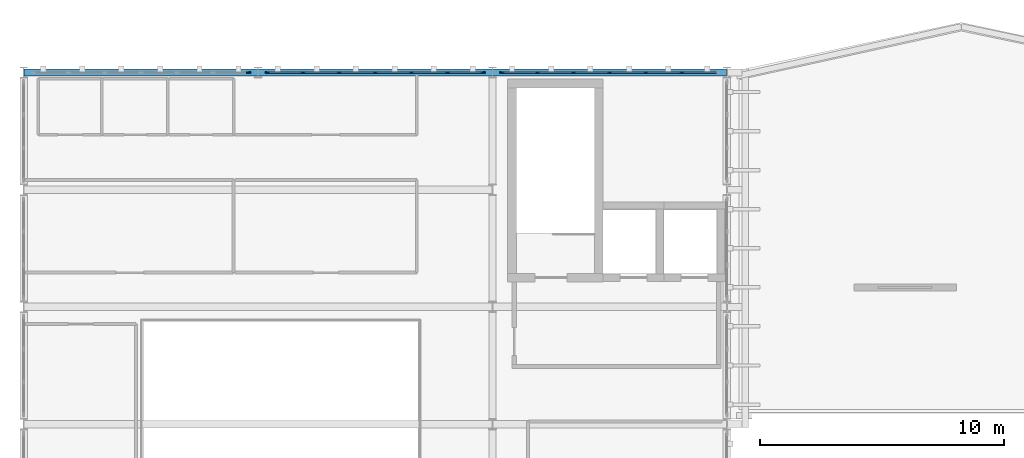
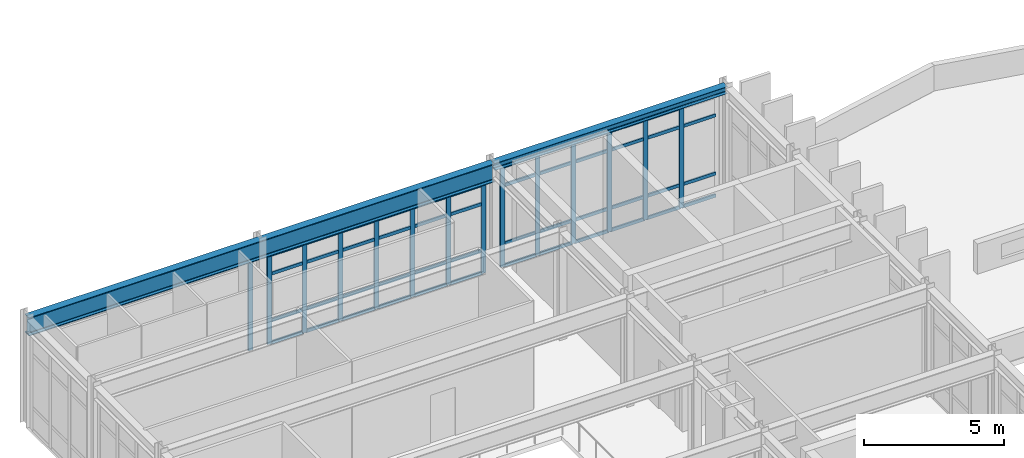
# One storey, part 8 of 16: 61 members, 2 beams, 3 elements without a shape of their own.
"""IFC4 building model written with IfcOpenShell, lengths in metres."""

import ifcopenshell
import ifcopenshell.guid

model = None  # the IFC model being written
_history = None  # IfcOwnerHistory: only IFC2X3 demands one
_inside = {}  # id of a spatial element -> (the spatial element, [elements in it])
_under = {}  # id of a project, library or spatial element -> (it, [spatial elements below it])
_declared = {}  # id of a project -> (the project, [libraries it declares])
_typed = {}  # id of a type object -> (the type object, [elements of that type])
_made_of = {}  # id of a material, layer set ... -> (it, [elements and type objects made of it])


def new_model(schema):
    """Start an empty IFC model of exactly this schema.

    Asked for "IFC4X3", IfcOpenShell would pick the latest addendum, in which some entities
    have other attributes; the version numbers below select the first issue.
    IFC2X3 requires an IfcOwnerHistory on every rooted entity: one is made here for all.
    """
    global model, _history
    if schema == "IFC4X3":
        model = ifcopenshell.file(schema_version=(4, 3, 0, 0))
    else:
        model = ifcopenshell.file(schema=schema)
    _inside.clear()
    _under.clear()
    _declared.clear()
    _typed.clear()
    _made_of.clear()
    _history = None
    if model.schema == "IFC2X3":
        org = make("IfcOrganization", Name="unknown")
        user = make(
            "IfcPersonAndOrganization",
            ThePerson=make("IfcPerson", FamilyName="unknown"),
            TheOrganization=org,
        )
        app = make(
            "IfcApplication",
            ApplicationDeveloper=org,
            Version="unknown",
            ApplicationFullName="unknown",
            ApplicationIdentifier="unknown",
        )
        _history = make(
            "IfcOwnerHistory",
            OwningUser=user,
            OwningApplication=app,
            ChangeAction="ADDED",
            CreationDate=0,
        )
    return model


def make(cls, **values):
    """One entity of the class cls with the attributes given. An attribute that is None is left unset."""
    return model.create_entity(
        cls, **{name: value for name, value in values.items() if value is not None}
    )


def rooted(cls, **values):
    """An entity with a GlobalId (a new one), such as an element, a storey or a relation."""
    return make(cls, GlobalId=ifcopenshell.guid.new(), OwnerHistory=_history, **values)


def si_unit(unit_type, name, prefix=None):
    """IfcSIUnit, for example si_unit("LENGTHUNIT", "METRE", prefix="MILLI")."""
    return make("IfcSIUnit", UnitType=unit_type, Prefix=prefix, Name=name)


def assignment(units):
    """IfcUnitAssignment: the units of a project."""
    return None if units is None else make("IfcUnitAssignment", Units=units)


def point(xyz):
    """IfcCartesianPoint."""
    return None if xyz is None else make("IfcCartesianPoint", Coordinates=xyz)


def direction(xyz):
    """IfcDirection."""
    return None if xyz is None else make("IfcDirection", DirectionRatios=xyz)


def frame(location, z_axis=None, x_axis=None):
    """IfcAxis2Placement3D, a coordinate frame: its origin and axes. An axis left out is left unset."""
    return make(
        "IfcAxis2Placement3D",
        Location=point(location),
        Axis=direction(z_axis),
        RefDirection=direction(x_axis),
    )


def frame_2d(location, x_axis=None):
    """IfcAxis2Placement2D, a coordinate frame in the plane: its origin and x axis."""
    return make(
        "IfcAxis2Placement2D", Location=point(location), RefDirection=direction(x_axis)
    )


def origin():
    """The frame at (0, 0, 0) with its axes left unset."""
    return frame((0.0, 0.0, 0.0))


def origin_2d():
    """The frame at (0, 0) in the plane with its x axis left unset."""
    return frame_2d((0.0, 0.0))


def place(relative_to, where):
    """IfcLocalPlacement: puts the frame where relative to a parent placement (None: the world)."""
    return make(
        "IfcLocalPlacement", PlacementRelTo=relative_to, RelativePlacement=where
    )


def context(
    kind, dimensions, precision=None, world=None, true_north=None, identifier=None
):
    """IfcGeometricRepresentationContext, for example the 3D "Model" context."""
    return make(
        "IfcGeometricRepresentationContext",
        ContextIdentifier=identifier,
        ContextType=kind,
        CoordinateSpaceDimension=dimensions,
        Precision=precision,
        WorldCoordinateSystem=world,
        TrueNorth=true_north,
    )


def subcontext(parent, identifier, kind, view, scale=None):
    """IfcGeometricRepresentationSubContext, for example "Body" below "Model"."""
    return make(
        "IfcGeometricRepresentationSubContext",
        ContextIdentifier=identifier,
        ContextType=kind,
        ParentContext=parent,
        TargetScale=scale,
        TargetView=view,
    )


def project(units=None, contexts=None):
    """IfcProject with its units and contexts."""
    return rooted(
        "IfcProject",
        Name="project",
        RepresentationContexts=contexts,
        UnitsInContext=assignment(units),
    )


def spatial(cls, under=None, at=None, **own):
    """A site, building, storey or space (cls), placed at a placement, below another one or the project."""
    s = rooted(cls, ObjectPlacement=at, **own)
    if under is not None:
        _under.setdefault(under.id(), (under, []))[1].append(s)
    return s


def profile(cls, at=None, kind="AREA", **sizes):
    """A parametric profile (cls). Its sizes go by their IFC names, for example OverallWidth=200.0."""
    return make(cls, ProfileType=kind, Position=at, **sizes)


def rectangle(**sizes):
    """IfcRectangleProfileDef."""
    return profile("IfcRectangleProfileDef", **sizes)


def i_section(**sizes):
    """IfcIShapeProfileDef."""
    return profile("IfcIShapeProfileDef", **sizes)


def extrude(swept, where, along, depth):
    """IfcExtrudedAreaSolid: the profile swept, set in the frame where, extruded along a direction by depth."""
    return make(
        "IfcExtrudedAreaSolid",
        SweptArea=swept,
        Position=where,
        ExtrudedDirection=direction(along),
        Depth=depth,
    )


def shape(context_of_items, identifier, shape_type, items):
    """IfcShapeRepresentation: the items that make up one representation, for example the "Body"."""
    return make(
        "IfcShapeRepresentation",
        ContextOfItems=context_of_items,
        RepresentationIdentifier=identifier,
        RepresentationType=shape_type,
        Items=items,
    )


def material(Name=None, Category=None):
    """IfcMaterial."""
    return make("IfcMaterial", Name=Name, Category=Category)


def layer(
    of_material, thickness, ventilated=None, Name=None, Category=None, Priority=None
):
    """IfcMaterialLayer: one layer of a wall or slab, of a material (None: an air gap)."""
    return make(
        "IfcMaterialLayer",
        Material=of_material,
        LayerThickness=thickness,
        IsVentilated=ventilated,
        Name=Name,
        Category=Category,
        Priority=Priority,
    )


def layer_set(layers, Name=None):
    """IfcMaterialLayerSet."""
    return make("IfcMaterialLayerSet", MaterialLayers=layers, LayerSetName=Name)


def material_profile(
    of_material, cross_section, Name=None, Category=None, Priority=None
):
    """IfcMaterialProfile: a cross section and its material."""
    return make(
        "IfcMaterialProfile",
        Name=Name,
        Material=of_material,
        Profile=cross_section,
        Priority=Priority,
        Category=Category,
    )


def profile_set(profiles, Name=None, composite=None):
    """IfcMaterialProfileSet."""
    return make(
        "IfcMaterialProfileSet",
        Name=Name,
        MaterialProfiles=profiles,
        CompositeProfile=composite,
    )


def made_of(thing, what):
    """Note that an element or type object is made of a material, layer set ...; save() writes the relation."""
    if what is not None:
        _made_of.setdefault(what.id(), (what, []))[1].append(thing)
    return thing


def type_object(cls, material=None, **own):
    """A type object (cls), such as IfcWallType, which elements share."""
    return made_of(rooted(cls, **own), material)


def element(
    cls,
    number,
    at=None,
    inside=None,
    cuts=None,
    type_object=None,
    material=None,
    context=None,
    identifier="Body",
    shape_type=None,
    held_by="IfcProductDefinitionShape",
    body=None,
    shapes=None,
    **own,
):
    """One element of the class cls, such as IfcWall. Its Tag is "e" and its number.

    at: its placement. inside: the storey or other place that contains it. cuts: it is an
    opening in that element (IfcRelVoidsElement). A single representation is given by context,
    identifier, shape_type and body (its items); several are given by shapes. held_by: the class
    of the entity that holds the representations. save() writes the other relations.
    """
    e = rooted(cls, Tag="e%d" % number, ObjectPlacement=at, **own)
    if body is not None:
        shapes = [shape(context, identifier, shape_type, body)]
    if shapes is not None:
        e.Representation = make(held_by, Representations=shapes)
    if inside is not None:
        _inside.setdefault(inside.id(), (inside, []))[1].append(e)
    if cuts is not None:
        rooted(
            "IfcRelVoidsElement", RelatingBuildingElement=cuts, RelatedOpeningElement=e
        )
    if type_object is not None:
        _typed.setdefault(type_object.id(), (type_object, []))[1].append(e)
    return made_of(e, material)


def aggregate(whole, parts):
    """IfcRelAggregates: a whole, such as a stair, and the parts it consists of."""
    return rooted("IfcRelAggregates", RelatingObject=whole, RelatedObjects=parts)


def save(model, path):
    """Write the relations noted so far, then the file.

    IfcRelAggregates (storeys below a building ...), IfcRelContainedInSpatialStructure (elements
    in a storey), IfcRelDefinesByType, IfcRelAssociatesMaterial and IfcRelDeclares: one each for
    every whole, place, type object, material and project.
    """
    for whole, parts in _under.values():
        aggregate(whole, parts)
    for where, things in _inside.values():
        rooted(
            "IfcRelContainedInSpatialStructure",
            RelatedElements=things,
            RelatingStructure=where,
        )
    for kind, things in _typed.values():
        rooted("IfcRelDefinesByType", RelatedObjects=things, RelatingType=kind)
    for what, things in _made_of.values():
        rooted("IfcRelAssociatesMaterial", RelatedObjects=things, RelatingMaterial=what)
    for by, libraries in _declared.values():
        rooted("IfcRelDeclares", RelatingContext=by, RelatedDefinitions=libraries)
    model.write(path)


model = new_model("IFC4")

# Units and contexts
model_context = context("Model", 3, precision=1e-05, world=origin(), true_north=direction((0.0, 1.0)))
body_context = subcontext(model_context, "Body", "Model", "MODEL_VIEW")
ifc_project = project(units=[si_unit("LENGTHUNIT", "METRE"), si_unit("AREAUNIT", "SQUARE_METRE"), si_unit("VOLUMEUNIT", "CUBIC_METRE"), si_unit("PLANEANGLEUNIT", "RADIAN"), si_unit("MASSUNIT", "GRAM", prefix="KILO")], contexts=[model_context])

# Site, building, storey
site_placement = place(None, origin())
site = spatial("IfcSite", under=ifc_project, at=site_placement, CompositionType="ELEMENT")
building_placement = place(site_placement, origin())
building = spatial("IfcBuilding", under=site, at=building_placement, Name="Nordkorset Police Headquarters", CompositionType="ELEMENT")
storey_placement = place(building_placement, frame((0.0, 0.0, 31.14990234375)))
storey = spatial("IfcBuildingStorey", under=building, at=storey_placement, Name="L07", CompositionType="ELEMENT", Elevation=31.14990234375)

# Curtain wall, member
ifc_material_1 = material(Name="Aluminium alloy AW-6060", Category="aluminium")
ifc_layer_1 = layer(ifc_material_1, 0.179931640625, Name="Aluminium alloy AW-6060")
ifc_layer_set_1 = layer_set([ifc_layer_1], Name="Aluminium alloy AW-6060")
curtain_wall_type_1 = type_object("IfcCurtainWallType", Name="CW_Unit_888x389", PredefinedType="USERDEFINED", material=ifc_layer_set_1)
curtain_wall_1_placement = place(storey_placement, origin())
curtain_wall_1 = element("IfcCurtainWall", 1, at=curtain_wall_1_placement, inside=storey, type_object=curtain_wall_type_1, Name="Unitised Curtain Wall L07 V1N-0", ObjectType="UNITISED CURTAIN WALL", PredefinedType="USERDEFINED")
ifc_material_2 = material(Name="Aluminium alloy AW-6060", Category="aluminium")
ifc_material_profile_1 = material_profile(ifc_material_2, rectangle(XDim=0.06494140625, YDim=0.179931640625, at=origin_2d()), Name="ALU MULL 65x180")
ifc_profile_set_1 = profile_set([ifc_material_profile_1], Name="Aluminium alloy AW-6060")
member_type_1 = type_object("IfcMemberType", Name="CW_Mullion_65x180", PredefinedType="MULLION", material=ifc_profile_set_1)
member_1_placement = place(storey_placement, frame((9.20751953125, 116.800048828125, 0.0), z_axis=(0.0, 0.0, 1.0), x_axis=(0.0, 1.0, 0.0)))
member_1 = element("IfcMember", 2, at=member_1_placement, type_object=member_type_1, Name="CW-76 mullion 7", PredefinedType="MULLION", context=body_context, shape_type="SweptSolid", body=[
    extrude(rectangle(XDim=0.06494140625, YDim=0.179931640625, at=origin_2d()), origin(), (0.0, 0.0, 1.0), 3.89013671875),
])
aggregate(curtain_wall_1, [member_1])

# Curtain wall, members
curtain_wall_2_placement = place(storey_placement, origin())
curtain_wall_2 = element("IfcCurtainWall", 3, at=curtain_wall_2_placement, inside=storey, type_object=curtain_wall_type_1, Name="Unitised Curtain Wall L07 V1N-1", ObjectType="UNITISED CURTAIN WALL", PredefinedType="USERDEFINED")
member_2_placement = place(storey_placement, frame((9.992431640625, 116.800048828125, 0.0), z_axis=(0.0, 0.0, 1.0), x_axis=(0.0, 1.0, 0.0)))
member_2 = element("IfcMember", 4, at=member_2_placement, type_object=member_type_1, Name="CW-76 mullion 1", PredefinedType="MULLION", context=body_context, shape_type="SweptSolid", body=[
    extrude(rectangle(XDim=0.06494140625, YDim=0.179931640625, at=origin_2d()), origin(), (0.0, 0.0, 1.0), 3.89013671875),
])
member_3_placement = place(storey_placement, frame((11.43994140625, 116.800048828125, 0.0), z_axis=(0.0, 0.0, 1.0), x_axis=(0.0, 1.0, 0.0)))
member_3 = element("IfcMember", 5, at=member_3_placement, type_object=member_type_1, Name="CW-76 mullion 2", PredefinedType="MULLION", context=body_context, shape_type="SweptSolid", body=[
    extrude(rectangle(XDim=0.06494140625, YDim=0.179931640625, at=origin_2d()), origin(), (0.0, 0.0, 1.0), 3.89013671875),
])
member_4_placement = place(storey_placement, frame((12.919921875, 116.800048828125, 0.0), z_axis=(0.0, 0.0, 1.0), x_axis=(0.0, 1.0, 0.0)))
member_4 = element("IfcMember", 6, at=member_4_placement, type_object=member_type_1, Name="CW-76 mullion 3", PredefinedType="MULLION", context=body_context, shape_type="SweptSolid", body=[
    extrude(rectangle(XDim=0.06494140625, YDim=0.179931640625, at=origin_2d()), origin(), (0.0, 0.0, 1.0), 3.89013671875),
])
member_5_placement = place(storey_placement, frame((14.39990234375, 116.800048828125, 0.0), z_axis=(0.0, 0.0, 1.0), x_axis=(0.0, 1.0, 0.0)))
member_5 = element("IfcMember", 7, at=member_5_placement, type_object=member_type_1, Name="CW-76 mullion 4", PredefinedType="MULLION", context=body_context, shape_type="SweptSolid", body=[
    extrude(rectangle(XDim=0.06494140625, YDim=0.179931640625, at=origin_2d()), origin(), (0.0, 0.0, 1.0), 3.89013671875),
])
member_6_placement = place(storey_placement, frame((15.8798828125, 116.800048828125, 0.0), z_axis=(0.0, 0.0, 1.0), x_axis=(0.0, 1.0, 0.0)))
member_6 = element("IfcMember", 8, at=member_6_placement, type_object=member_type_1, Name="CW-76 mullion 5", PredefinedType="MULLION", context=body_context, shape_type="SweptSolid", body=[
    extrude(rectangle(XDim=0.06494140625, YDim=0.179931640625, at=origin_2d()), origin(), (0.0, 0.0, 1.0), 3.89013671875),
])
member_7_placement = place(storey_placement, frame((17.360107421875, 116.800048828125, 0.0), z_axis=(0.0, 0.0, 1.0), x_axis=(0.0, 1.0, 0.0)))
member_7 = element("IfcMember", 9, at=member_7_placement, type_object=member_type_1, Name="CW-76 mullion 6", PredefinedType="MULLION", context=body_context, shape_type="SweptSolid", body=[
    extrude(rectangle(XDim=0.06494140625, YDim=0.179931640625, at=origin_2d()), origin(), (0.0, 0.0, 1.0), 3.89013671875),
])
member_8_placement = place(storey_placement, frame((18.8076171875, 116.800048828125, 0.0), z_axis=(0.0, 0.0, 1.0), x_axis=(0.0, 1.0, 0.0)))
member_8 = element("IfcMember", 10, at=member_8_placement, type_object=member_type_1, Name="CW-76 mullion 7", PredefinedType="MULLION", context=body_context, shape_type="SweptSolid", body=[
    extrude(rectangle(XDim=0.06494140625, YDim=0.179931640625, at=origin_2d()), origin(), (0.0, 0.0, 1.0), 3.89013671875),
])

ifc_material_3 = material(Name="Aluminium alloy AW-6060", Category="aluminium")
ifc_layer_2 = layer(ifc_material_3, 0.179931640625, Name="Aluminium alloy AW-6060")
ifc_layer_set_2 = layer_set([ifc_layer_2], Name="Aluminium alloy AW-6060")
curtain_wall_type_2 = type_object("IfcCurtainWallType", Name="CW_Unit_888x438", PredefinedType="USERDEFINED", material=ifc_layer_set_2)
curtain_wall_3_placement = place(storey_placement, origin())
curtain_wall_3 = element("IfcCurtainWall", 11, at=curtain_wall_3_placement, inside=storey, type_object=curtain_wall_type_2, Name="Unitised Curtain Wall L07 V1N-2", ObjectType="UNITISED CURTAIN WALL", PredefinedType="USERDEFINED")
member_9_placement = place(storey_placement, frame((19.592529296875, 116.800048828125, 0.0), z_axis=(0.0, 0.0, 1.0), x_axis=(0.0, 1.0, 0.0)))
member_9 = element("IfcMember", 12, at=member_9_placement, type_object=member_type_1, Name="CW-102 mullion 1", PredefinedType="MULLION", context=body_context, shape_type="SweptSolid", body=[
    extrude(rectangle(XDim=0.06494140625, YDim=0.179931640625, at=origin_2d()), origin(), (0.0, 0.0, 1.0), 4.380126953125),
])
member_10_placement = place(storey_placement, frame((21.0400390625, 116.800048828125, 0.0), z_axis=(0.0, 0.0, 1.0), x_axis=(0.0, 1.0, 0.0)))
member_10 = element("IfcMember", 13, at=member_10_placement, type_object=member_type_1, Name="CW-102 mullion 2", PredefinedType="MULLION", context=body_context, shape_type="SweptSolid", body=[
    extrude(rectangle(XDim=0.06494140625, YDim=0.179931640625, at=origin_2d()), origin(), (0.0, 0.0, 1.0), 4.380126953125),
])
member_11_placement = place(storey_placement, frame((22.52001953125, 116.800048828125, 0.0), z_axis=(0.0, 0.0, 1.0), x_axis=(0.0, 1.0, 0.0)))
member_11 = element("IfcMember", 14, at=member_11_placement, type_object=member_type_1, Name="CW-102 mullion 3", PredefinedType="MULLION", context=body_context, shape_type="SweptSolid", body=[
    extrude(rectangle(XDim=0.06494140625, YDim=0.179931640625, at=origin_2d()), origin(), (0.0, 0.0, 1.0), 4.380126953125),
])
member_12_placement = place(storey_placement, frame((24.0, 116.800048828125, 0.0), z_axis=(0.0, 0.0, 1.0), x_axis=(0.0, 1.0, 0.0)))
member_12 = element("IfcMember", 15, at=member_12_placement, type_object=member_type_1, Name="CW-102 mullion 4", PredefinedType="MULLION", context=body_context, shape_type="SweptSolid", body=[
    extrude(rectangle(XDim=0.06494140625, YDim=0.179931640625, at=origin_2d()), origin(), (0.0, 0.0, 1.0), 4.380126953125),
])
member_13_placement = place(storey_placement, frame((25.47998046875, 116.800048828125, 0.0), z_axis=(0.0, 0.0, 1.0), x_axis=(0.0, 1.0, 0.0)))
member_13 = element("IfcMember", 16, at=member_13_placement, type_object=member_type_1, Name="CW-102 mullion 5", PredefinedType="MULLION", context=body_context, shape_type="SweptSolid", body=[
    extrude(rectangle(XDim=0.06494140625, YDim=0.179931640625, at=origin_2d()), origin(), (0.0, 0.0, 1.0), 4.380126953125),
])
member_14_placement = place(storey_placement, frame((26.9599609375, 116.800048828125, 0.0), z_axis=(0.0, 0.0, 1.0), x_axis=(0.0, 1.0, 0.0)))
member_14 = element("IfcMember", 17, at=member_14_placement, type_object=member_type_1, Name="CW-102 mullion 6", PredefinedType="MULLION", context=body_context, shape_type="SweptSolid", body=[
    extrude(rectangle(XDim=0.06494140625, YDim=0.179931640625, at=origin_2d()), origin(), (0.0, 0.0, 1.0), 4.380126953125),
])

# Member
ifc_material_4 = material(Name="Aluminium alloy AW-6060", Category="aluminium")
ifc_material_profile_2 = material_profile(ifc_material_4, rectangle(XDim=0.06494140625, YDim=0.139892578125, at=origin_2d()), Name="ALU TRAN 65x140")
ifc_profile_set_2 = profile_set([ifc_material_profile_2], Name="Aluminium alloy AW-6060")
member_type_2 = type_object("IfcMemberType", Name="CW_Transom_65x140", PredefinedType="USERDEFINED", material=ifc_profile_set_2)
member_15_placement = place(storey_placement, frame((10.02490234375, 116.800048828125, 0.03271484375), z_axis=(1.0, 0.0, 0.0), x_axis=(0.0, 1.0, 0.0)))
member_15 = element("IfcMember", 18, at=member_15_placement, type_object=member_type_2, Name="CW-76 transom 1.1", ObjectType="TRANSOM", PredefinedType="USERDEFINED", context=body_context, shape_type="SweptSolid", body=[
    extrude(rectangle(XDim=0.06494140625, YDim=0.139892578125, at=origin_2d()), origin(), (0.0, 0.0, 1.0), 1.382568359375),
])

member_16_placement = place(storey_placement, frame((10.02490234375, 116.800048828125, 1.0), z_axis=(1.0, 0.0, 0.0), x_axis=(0.0, 1.0, 0.0)))
member_16 = element("IfcMember", 19, at=member_16_placement, type_object=member_type_2, Name="CW-76 transom 1.2", ObjectType="TRANSOM", PredefinedType="USERDEFINED", context=body_context, shape_type="SweptSolid", body=[
    extrude(rectangle(XDim=0.06494140625, YDim=0.139892578125, at=origin_2d()), origin(), (0.0, 0.0, 1.0), 1.382568359375),
])

member_17_placement = place(storey_placement, frame((10.02490234375, 116.800048828125, 3.0400390625), z_axis=(1.0, 0.0, 0.0), x_axis=(0.0, 1.0, 0.0)))
member_17 = element("IfcMember", 20, at=member_17_placement, type_object=member_type_2, Name="CW-76 transom 1.3", ObjectType="TRANSOM", PredefinedType="USERDEFINED", context=body_context, shape_type="SweptSolid", body=[
    extrude(rectangle(XDim=0.06494140625, YDim=0.139892578125, at=origin_2d()), origin(), (0.0, 0.0, 1.0), 1.382568359375),
])

member_18_placement = place(storey_placement, frame((10.02490234375, 116.800048828125, 3.857666015625), z_axis=(1.0, 0.0, 0.0), x_axis=(0.0, 1.0, 0.0)))
member_18 = element("IfcMember", 21, at=member_18_placement, type_object=member_type_2, Name="CW-76 transom 1.4", ObjectType="TRANSOM", PredefinedType="USERDEFINED", context=body_context, shape_type="SweptSolid", body=[
    extrude(rectangle(XDim=0.06494140625, YDim=0.139892578125, at=origin_2d()), origin(), (0.0, 0.0, 1.0), 1.382568359375),
])

member_19_placement = place(storey_placement, frame((11.472412109375, 116.800048828125, 0.03271484375), z_axis=(1.0, 0.0, 0.0), x_axis=(0.0, 1.0, 0.0)))
member_19 = element("IfcMember", 22, at=member_19_placement, type_object=member_type_2, Name="CW-76 transom 2.1", ObjectType="TRANSOM", PredefinedType="USERDEFINED", context=body_context, shape_type="SweptSolid", body=[
    extrude(rectangle(XDim=0.06494140625, YDim=0.139892578125, at=origin_2d()), origin(), (0.0, 0.0, 1.0), 1.4150390625),
])

member_20_placement = place(storey_placement, frame((11.472412109375, 116.800048828125, 1.0), z_axis=(1.0, 0.0, 0.0), x_axis=(0.0, 1.0, 0.0)))
member_20 = element("IfcMember", 23, at=member_20_placement, type_object=member_type_2, Name="CW-76 transom 2.2", ObjectType="TRANSOM", PredefinedType="USERDEFINED", context=body_context, shape_type="SweptSolid", body=[
    extrude(rectangle(XDim=0.06494140625, YDim=0.139892578125, at=origin_2d()), origin(), (0.0, 0.0, 1.0), 1.4150390625),
])

member_21_placement = place(storey_placement, frame((11.472412109375, 116.800048828125, 3.0400390625), z_axis=(1.0, 0.0, 0.0), x_axis=(0.0, 1.0, 0.0)))
member_21 = element("IfcMember", 24, at=member_21_placement, type_object=member_type_2, Name="CW-76 transom 2.3", ObjectType="TRANSOM", PredefinedType="USERDEFINED", context=body_context, shape_type="SweptSolid", body=[
    extrude(rectangle(XDim=0.06494140625, YDim=0.139892578125, at=origin_2d()), origin(), (0.0, 0.0, 1.0), 1.4150390625),
])

member_22_placement = place(storey_placement, frame((11.472412109375, 116.800048828125, 3.857666015625), z_axis=(1.0, 0.0, 0.0), x_axis=(0.0, 1.0, 0.0)))
member_22 = element("IfcMember", 25, at=member_22_placement, type_object=member_type_2, Name="CW-76 transom 2.4", ObjectType="TRANSOM", PredefinedType="USERDEFINED", context=body_context, shape_type="SweptSolid", body=[
    extrude(rectangle(XDim=0.06494140625, YDim=0.139892578125, at=origin_2d()), origin(), (0.0, 0.0, 1.0), 1.4150390625),
])

member_23_placement = place(storey_placement, frame((12.952392578125, 116.800048828125, 0.03271484375), z_axis=(1.0, 0.0, 0.0), x_axis=(0.0, 1.0, 0.0)))
member_23 = element("IfcMember", 26, at=member_23_placement, type_object=member_type_2, Name="CW-76 transom 3.1", ObjectType="TRANSOM", PredefinedType="USERDEFINED", context=body_context, shape_type="SweptSolid", body=[
    extrude(rectangle(XDim=0.06494140625, YDim=0.139892578125, at=origin_2d()), origin(), (0.0, 0.0, 1.0), 1.4150390625),
])

member_24_placement = place(storey_placement, frame((12.952392578125, 116.800048828125, 1.0), z_axis=(1.0, 0.0, 0.0), x_axis=(0.0, 1.0, 0.0)))
member_24 = element("IfcMember", 27, at=member_24_placement, type_object=member_type_2, Name="CW-76 transom 3.2", ObjectType="TRANSOM", PredefinedType="USERDEFINED", context=body_context, shape_type="SweptSolid", body=[
    extrude(rectangle(XDim=0.06494140625, YDim=0.139892578125, at=origin_2d()), origin(), (0.0, 0.0, 1.0), 1.4150390625),
])

member_25_placement = place(storey_placement, frame((12.952392578125, 116.800048828125, 3.0400390625), z_axis=(1.0, 0.0, 0.0), x_axis=(0.0, 1.0, 0.0)))
member_25 = element("IfcMember", 28, at=member_25_placement, type_object=member_type_2, Name="CW-76 transom 3.3", ObjectType="TRANSOM", PredefinedType="USERDEFINED", context=body_context, shape_type="SweptSolid", body=[
    extrude(rectangle(XDim=0.06494140625, YDim=0.139892578125, at=origin_2d()), origin(), (0.0, 0.0, 1.0), 1.4150390625),
])

member_26_placement = place(storey_placement, frame((12.952392578125, 116.800048828125, 3.857666015625), z_axis=(1.0, 0.0, 0.0), x_axis=(0.0, 1.0, 0.0)))
member_26 = element("IfcMember", 29, at=member_26_placement, type_object=member_type_2, Name="CW-76 transom 3.4", ObjectType="TRANSOM", PredefinedType="USERDEFINED", context=body_context, shape_type="SweptSolid", body=[
    extrude(rectangle(XDim=0.06494140625, YDim=0.139892578125, at=origin_2d()), origin(), (0.0, 0.0, 1.0), 1.4150390625),
])

member_27_placement = place(storey_placement, frame((14.4326171875, 116.800048828125, 0.03271484375), z_axis=(1.0, 0.0, 0.0), x_axis=(0.0, 1.0, 0.0)))
member_27 = element("IfcMember", 30, at=member_27_placement, type_object=member_type_2, Name="CW-76 transom 4.1", ObjectType="TRANSOM", PredefinedType="USERDEFINED", context=body_context, shape_type="SweptSolid", body=[
    extrude(rectangle(XDim=0.06494140625, YDim=0.139892578125, at=origin_2d()), origin(), (0.0, 0.0, 1.0), 1.414794921875),
])

member_28_placement = place(storey_placement, frame((14.4326171875, 116.800048828125, 1.0), z_axis=(1.0, 0.0, 0.0), x_axis=(0.0, 1.0, 0.0)))
member_28 = element("IfcMember", 31, at=member_28_placement, type_object=member_type_2, Name="CW-76 transom 4.2", ObjectType="TRANSOM", PredefinedType="USERDEFINED", context=body_context, shape_type="SweptSolid", body=[
    extrude(rectangle(XDim=0.06494140625, YDim=0.139892578125, at=origin_2d()), origin(), (0.0, 0.0, 1.0), 1.414794921875),
])

member_29_placement = place(storey_placement, frame((14.4326171875, 116.800048828125, 3.0400390625), z_axis=(1.0, 0.0, 0.0), x_axis=(0.0, 1.0, 0.0)))
member_29 = element("IfcMember", 32, at=member_29_placement, type_object=member_type_2, Name="CW-76 transom 4.3", ObjectType="TRANSOM", PredefinedType="USERDEFINED", context=body_context, shape_type="SweptSolid", body=[
    extrude(rectangle(XDim=0.06494140625, YDim=0.139892578125, at=origin_2d()), origin(), (0.0, 0.0, 1.0), 1.414794921875),
])

member_30_placement = place(storey_placement, frame((14.4326171875, 116.800048828125, 3.857666015625), z_axis=(1.0, 0.0, 0.0), x_axis=(0.0, 1.0, 0.0)))
member_30 = element("IfcMember", 33, at=member_30_placement, type_object=member_type_2, Name="CW-76 transom 4.4", ObjectType="TRANSOM", PredefinedType="USERDEFINED", context=body_context, shape_type="SweptSolid", body=[
    extrude(rectangle(XDim=0.06494140625, YDim=0.139892578125, at=origin_2d()), origin(), (0.0, 0.0, 1.0), 1.414794921875),
])

member_31_placement = place(storey_placement, frame((15.91259765625, 116.800048828125, 0.03271484375), z_axis=(1.0, 0.0, 0.0), x_axis=(0.0, 1.0, 0.0)))
member_31 = element("IfcMember", 34, at=member_31_placement, type_object=member_type_2, Name="CW-76 transom 5.1", ObjectType="TRANSOM", PredefinedType="USERDEFINED", context=body_context, shape_type="SweptSolid", body=[
    extrude(rectangle(XDim=0.06494140625, YDim=0.139892578125, at=origin_2d()), origin(), (0.0, 0.0, 1.0), 1.414794921875),
])

member_32_placement = place(storey_placement, frame((15.91259765625, 116.800048828125, 1.0), z_axis=(1.0, 0.0, 0.0), x_axis=(0.0, 1.0, 0.0)))
member_32 = element("IfcMember", 35, at=member_32_placement, type_object=member_type_2, Name="CW-76 transom 5.2", ObjectType="TRANSOM", PredefinedType="USERDEFINED", context=body_context, shape_type="SweptSolid", body=[
    extrude(rectangle(XDim=0.06494140625, YDim=0.139892578125, at=origin_2d()), origin(), (0.0, 0.0, 1.0), 1.414794921875),
])

member_33_placement = place(storey_placement, frame((15.91259765625, 116.800048828125, 3.0400390625), z_axis=(1.0, 0.0, 0.0), x_axis=(0.0, 1.0, 0.0)))
member_33 = element("IfcMember", 36, at=member_33_placement, type_object=member_type_2, Name="CW-76 transom 5.3", ObjectType="TRANSOM", PredefinedType="USERDEFINED", context=body_context, shape_type="SweptSolid", body=[
    extrude(rectangle(XDim=0.06494140625, YDim=0.139892578125, at=origin_2d()), origin(), (0.0, 0.0, 1.0), 1.414794921875),
])

member_34_placement = place(storey_placement, frame((15.91259765625, 116.800048828125, 3.857666015625), z_axis=(1.0, 0.0, 0.0), x_axis=(0.0, 1.0, 0.0)))
member_34 = element("IfcMember", 37, at=member_34_placement, type_object=member_type_2, Name="CW-76 transom 5.4", ObjectType="TRANSOM", PredefinedType="USERDEFINED", context=body_context, shape_type="SweptSolid", body=[
    extrude(rectangle(XDim=0.06494140625, YDim=0.139892578125, at=origin_2d()), origin(), (0.0, 0.0, 1.0), 1.414794921875),
])

member_35_placement = place(storey_placement, frame((17.392578125, 116.800048828125, 0.03271484375), z_axis=(1.0, 0.0, 0.0), x_axis=(0.0, 1.0, 0.0)))
member_35 = element("IfcMember", 38, at=member_35_placement, type_object=member_type_2, Name="CW-76 transom 6.1", ObjectType="TRANSOM", PredefinedType="USERDEFINED", context=body_context, shape_type="SweptSolid", body=[
    extrude(rectangle(XDim=0.06494140625, YDim=0.139892578125, at=origin_2d()), origin(), (0.0, 0.0, 1.0), 1.38232421875),
])

member_36_placement = place(storey_placement, frame((17.392578125, 116.800048828125, 1.0), z_axis=(1.0, 0.0, 0.0), x_axis=(0.0, 1.0, 0.0)))
member_36 = element("IfcMember", 39, at=member_36_placement, type_object=member_type_2, Name="CW-76 transom 6.2", ObjectType="TRANSOM", PredefinedType="USERDEFINED", context=body_context, shape_type="SweptSolid", body=[
    extrude(rectangle(XDim=0.06494140625, YDim=0.139892578125, at=origin_2d()), origin(), (0.0, 0.0, 1.0), 1.38232421875),
])

member_37_placement = place(storey_placement, frame((17.392578125, 116.800048828125, 3.0400390625), z_axis=(1.0, 0.0, 0.0), x_axis=(0.0, 1.0, 0.0)))
member_37 = element("IfcMember", 40, at=member_37_placement, type_object=member_type_2, Name="CW-76 transom 6.3", ObjectType="TRANSOM", PredefinedType="USERDEFINED", context=body_context, shape_type="SweptSolid", body=[
    extrude(rectangle(XDim=0.06494140625, YDim=0.139892578125, at=origin_2d()), origin(), (0.0, 0.0, 1.0), 1.38232421875),
])

member_38_placement = place(storey_placement, frame((17.392578125, 116.800048828125, 3.857666015625), z_axis=(1.0, 0.0, 0.0), x_axis=(0.0, 1.0, 0.0)))
member_38 = element("IfcMember", 41, at=member_38_placement, type_object=member_type_2, Name="CW-76 transom 6.4", ObjectType="TRANSOM", PredefinedType="USERDEFINED", context=body_context, shape_type="SweptSolid", body=[
    extrude(rectangle(XDim=0.06494140625, YDim=0.139892578125, at=origin_2d()), origin(), (0.0, 0.0, 1.0), 1.38232421875),
])

aggregate(curtain_wall_2, [member_2, member_3, member_4, member_5, member_6, member_7, member_8, member_15, member_16, member_17, member_18, member_19, member_20, member_21, member_22, member_23, member_24, member_25, member_26, member_27, member_28, member_29, member_30, member_31, member_32, member_33, member_34, member_35, member_36, member_37, member_38])

member_39_placement = place(storey_placement, frame((19.625, 116.800048828125, 0.03271484375), z_axis=(1.0, 0.0, 0.0), x_axis=(0.0, 1.0, 0.0)))
member_39 = element("IfcMember", 42, at=member_39_placement, type_object=member_type_2, Name="CW-102 transom 1.1", ObjectType="TRANSOM", PredefinedType="USERDEFINED", context=body_context, shape_type="SweptSolid", body=[
    extrude(rectangle(XDim=0.06494140625, YDim=0.139892578125, at=origin_2d()), origin(), (0.0, 0.0, 1.0), 1.382568359375),
])

member_40_placement = place(storey_placement, frame((19.625, 116.800048828125, 1.0), z_axis=(1.0, 0.0, 0.0), x_axis=(0.0, 1.0, 0.0)))
member_40 = element("IfcMember", 43, at=member_40_placement, type_object=member_type_2, Name="CW-102 transom 1.2", ObjectType="TRANSOM", PredefinedType="USERDEFINED", context=body_context, shape_type="SweptSolid", body=[
    extrude(rectangle(XDim=0.06494140625, YDim=0.139892578125, at=origin_2d()), origin(), (0.0, 0.0, 1.0), 1.382568359375),
])

member_41_placement = place(storey_placement, frame((19.625, 116.800048828125, 3.530029296875), z_axis=(1.0, 0.0, 0.0), x_axis=(0.0, 1.0, 0.0)))
member_41 = element("IfcMember", 44, at=member_41_placement, type_object=member_type_2, Name="CW-102 transom 1.3", ObjectType="TRANSOM", PredefinedType="USERDEFINED", context=body_context, shape_type="SweptSolid", body=[
    extrude(rectangle(XDim=0.06494140625, YDim=0.139892578125, at=origin_2d()), origin(), (0.0, 0.0, 1.0), 1.382568359375),
])

member_42_placement = place(storey_placement, frame((19.625, 116.800048828125, 4.34765625), z_axis=(1.0, 0.0, 0.0), x_axis=(0.0, 1.0, 0.0)))
member_42 = element("IfcMember", 45, at=member_42_placement, type_object=member_type_2, Name="CW-102 transom 1.4", ObjectType="TRANSOM", PredefinedType="USERDEFINED", context=body_context, shape_type="SweptSolid", body=[
    extrude(rectangle(XDim=0.06494140625, YDim=0.139892578125, at=origin_2d()), origin(), (0.0, 0.0, 1.0), 1.382568359375),
])

member_43_placement = place(storey_placement, frame((21.072509765625, 116.800048828125, 0.03271484375), z_axis=(1.0, 0.0, 0.0), x_axis=(0.0, 1.0, 0.0)))
member_43 = element("IfcMember", 46, at=member_43_placement, type_object=member_type_2, Name="CW-102 transom 2.1", ObjectType="TRANSOM", PredefinedType="USERDEFINED", context=body_context, shape_type="SweptSolid", body=[
    extrude(rectangle(XDim=0.06494140625, YDim=0.139892578125, at=origin_2d()), origin(), (0.0, 0.0, 1.0), 1.4150390625),
])

member_44_placement = place(storey_placement, frame((21.072509765625, 116.800048828125, 1.0), z_axis=(1.0, 0.0, 0.0), x_axis=(0.0, 1.0, 0.0)))
member_44 = element("IfcMember", 47, at=member_44_placement, type_object=member_type_2, Name="CW-102 transom 2.2", ObjectType="TRANSOM", PredefinedType="USERDEFINED", context=body_context, shape_type="SweptSolid", body=[
    extrude(rectangle(XDim=0.06494140625, YDim=0.139892578125, at=origin_2d()), origin(), (0.0, 0.0, 1.0), 1.4150390625),
])

member_45_placement = place(storey_placement, frame((21.072509765625, 116.800048828125, 3.530029296875), z_axis=(1.0, 0.0, 0.0), x_axis=(0.0, 1.0, 0.0)))
member_45 = element("IfcMember", 48, at=member_45_placement, type_object=member_type_2, Name="CW-102 transom 2.3", ObjectType="TRANSOM", PredefinedType="USERDEFINED", context=body_context, shape_type="SweptSolid", body=[
    extrude(rectangle(XDim=0.06494140625, YDim=0.139892578125, at=origin_2d()), origin(), (0.0, 0.0, 1.0), 1.4150390625),
])

member_46_placement = place(storey_placement, frame((21.072509765625, 116.800048828125, 4.34765625), z_axis=(1.0, 0.0, 0.0), x_axis=(0.0, 1.0, 0.0)))
member_46 = element("IfcMember", 49, at=member_46_placement, type_object=member_type_2, Name="CW-102 transom 2.4", ObjectType="TRANSOM", PredefinedType="USERDEFINED", context=body_context, shape_type="SweptSolid", body=[
    extrude(rectangle(XDim=0.06494140625, YDim=0.139892578125, at=origin_2d()), origin(), (0.0, 0.0, 1.0), 1.4150390625),
])

member_47_placement = place(storey_placement, frame((22.552490234375, 116.800048828125, 0.03271484375), z_axis=(1.0, 0.0, 0.0), x_axis=(0.0, 1.0, 0.0)))
member_47 = element("IfcMember", 50, at=member_47_placement, type_object=member_type_2, Name="CW-102 transom 3.1", ObjectType="TRANSOM", PredefinedType="USERDEFINED", context=body_context, shape_type="SweptSolid", body=[
    extrude(rectangle(XDim=0.06494140625, YDim=0.139892578125, at=origin_2d()), origin(), (0.0, 0.0, 1.0), 1.4150390625),
])

member_48_placement = place(storey_placement, frame((22.552490234375, 116.800048828125, 1.0), z_axis=(1.0, 0.0, 0.0), x_axis=(0.0, 1.0, 0.0)))
member_48 = element("IfcMember", 51, at=member_48_placement, type_object=member_type_2, Name="CW-102 transom 3.2", ObjectType="TRANSOM", PredefinedType="USERDEFINED", context=body_context, shape_type="SweptSolid", body=[
    extrude(rectangle(XDim=0.06494140625, YDim=0.139892578125, at=origin_2d()), origin(), (0.0, 0.0, 1.0), 1.4150390625),
])

member_49_placement = place(storey_placement, frame((22.552490234375, 116.800048828125, 3.530029296875), z_axis=(1.0, 0.0, 0.0), x_axis=(0.0, 1.0, 0.0)))
member_49 = element("IfcMember", 52, at=member_49_placement, type_object=member_type_2, Name="CW-102 transom 3.3", ObjectType="TRANSOM", PredefinedType="USERDEFINED", context=body_context, shape_type="SweptSolid", body=[
    extrude(rectangle(XDim=0.06494140625, YDim=0.139892578125, at=origin_2d()), origin(), (0.0, 0.0, 1.0), 1.4150390625),
])

member_50_placement = place(storey_placement, frame((22.552490234375, 116.800048828125, 4.34765625), z_axis=(1.0, 0.0, 0.0), x_axis=(0.0, 1.0, 0.0)))
member_50 = element("IfcMember", 53, at=member_50_placement, type_object=member_type_2, Name="CW-102 transom 3.4", ObjectType="TRANSOM", PredefinedType="USERDEFINED", context=body_context, shape_type="SweptSolid", body=[
    extrude(rectangle(XDim=0.06494140625, YDim=0.139892578125, at=origin_2d()), origin(), (0.0, 0.0, 1.0), 1.4150390625),
])

member_51_placement = place(storey_placement, frame((24.032470703125, 116.800048828125, 0.03271484375), z_axis=(1.0, 0.0, 0.0), x_axis=(0.0, 1.0, 0.0)))
member_51 = element("IfcMember", 54, at=member_51_placement, type_object=member_type_2, Name="CW-102 transom 4.1", ObjectType="TRANSOM", PredefinedType="USERDEFINED", context=body_context, shape_type="SweptSolid", body=[
    extrude(rectangle(XDim=0.06494140625, YDim=0.139892578125, at=origin_2d()), origin(), (0.0, 0.0, 1.0), 1.4150390625),
])

member_52_placement = place(storey_placement, frame((24.032470703125, 116.800048828125, 1.0), z_axis=(1.0, 0.0, 0.0), x_axis=(0.0, 1.0, 0.0)))
member_52 = element("IfcMember", 55, at=member_52_placement, type_object=member_type_2, Name="CW-102 transom 4.2", ObjectType="TRANSOM", PredefinedType="USERDEFINED", context=body_context, shape_type="SweptSolid", body=[
    extrude(rectangle(XDim=0.06494140625, YDim=0.139892578125, at=origin_2d()), origin(), (0.0, 0.0, 1.0), 1.4150390625),
])

member_53_placement = place(storey_placement, frame((24.032470703125, 116.800048828125, 3.530029296875), z_axis=(1.0, 0.0, 0.0), x_axis=(0.0, 1.0, 0.0)))
member_53 = element("IfcMember", 56, at=member_53_placement, type_object=member_type_2, Name="CW-102 transom 4.3", ObjectType="TRANSOM", PredefinedType="USERDEFINED", context=body_context, shape_type="SweptSolid", body=[
    extrude(rectangle(XDim=0.06494140625, YDim=0.139892578125, at=origin_2d()), origin(), (0.0, 0.0, 1.0), 1.4150390625),
])

member_54_placement = place(storey_placement, frame((24.032470703125, 116.800048828125, 4.34765625), z_axis=(1.0, 0.0, 0.0), x_axis=(0.0, 1.0, 0.0)))
member_54 = element("IfcMember", 57, at=member_54_placement, type_object=member_type_2, Name="CW-102 transom 4.4", ObjectType="TRANSOM", PredefinedType="USERDEFINED", context=body_context, shape_type="SweptSolid", body=[
    extrude(rectangle(XDim=0.06494140625, YDim=0.139892578125, at=origin_2d()), origin(), (0.0, 0.0, 1.0), 1.4150390625),
])

member_55_placement = place(storey_placement, frame((25.512451171875, 116.800048828125, 0.03271484375), z_axis=(1.0, 0.0, 0.0), x_axis=(0.0, 1.0, 0.0)))
member_55 = element("IfcMember", 58, at=member_55_placement, type_object=member_type_2, Name="CW-102 transom 5.1", ObjectType="TRANSOM", PredefinedType="USERDEFINED", context=body_context, shape_type="SweptSolid", body=[
    extrude(rectangle(XDim=0.06494140625, YDim=0.139892578125, at=origin_2d()), origin(), (0.0, 0.0, 1.0), 1.4150390625),
])

member_56_placement = place(storey_placement, frame((25.512451171875, 116.800048828125, 1.0), z_axis=(1.0, 0.0, 0.0), x_axis=(0.0, 1.0, 0.0)))
member_56 = element("IfcMember", 59, at=member_56_placement, type_object=member_type_2, Name="CW-102 transom 5.2", ObjectType="TRANSOM", PredefinedType="USERDEFINED", context=body_context, shape_type="SweptSolid", body=[
    extrude(rectangle(XDim=0.06494140625, YDim=0.139892578125, at=origin_2d()), origin(), (0.0, 0.0, 1.0), 1.4150390625),
])

member_57_placement = place(storey_placement, frame((25.512451171875, 116.800048828125, 3.530029296875), z_axis=(1.0, 0.0, 0.0), x_axis=(0.0, 1.0, 0.0)))
member_57 = element("IfcMember", 60, at=member_57_placement, type_object=member_type_2, Name="CW-102 transom 5.3", ObjectType="TRANSOM", PredefinedType="USERDEFINED", context=body_context, shape_type="SweptSolid", body=[
    extrude(rectangle(XDim=0.06494140625, YDim=0.139892578125, at=origin_2d()), origin(), (0.0, 0.0, 1.0), 1.4150390625),
])

member_58_placement = place(storey_placement, frame((25.512451171875, 116.800048828125, 4.34765625), z_axis=(1.0, 0.0, 0.0), x_axis=(0.0, 1.0, 0.0)))
member_58 = element("IfcMember", 61, at=member_58_placement, type_object=member_type_2, Name="CW-102 transom 5.4", ObjectType="TRANSOM", PredefinedType="USERDEFINED", context=body_context, shape_type="SweptSolid", body=[
    extrude(rectangle(XDim=0.06494140625, YDim=0.139892578125, at=origin_2d()), origin(), (0.0, 0.0, 1.0), 1.4150390625),
])

member_59_placement = place(storey_placement, frame((26.992431640625, 116.800048828125, 0.03271484375), z_axis=(1.0, 0.0, 0.0), x_axis=(0.0, 1.0, 0.0)))
member_59 = element("IfcMember", 62, at=member_59_placement, type_object=member_type_2, Name="CW-102 transom 6.1", ObjectType="TRANSOM", PredefinedType="USERDEFINED", context=body_context, shape_type="SweptSolid", body=[
    extrude(rectangle(XDim=0.06494140625, YDim=0.139892578125, at=origin_2d()), origin(), (0.0, 0.0, 1.0), 1.382568359375),
])

member_60_placement = place(storey_placement, frame((26.992431640625, 116.800048828125, 1.0), z_axis=(1.0, 0.0, 0.0), x_axis=(0.0, 1.0, 0.0)))
member_60 = element("IfcMember", 63, at=member_60_placement, type_object=member_type_2, Name="CW-102 transom 6.2", ObjectType="TRANSOM", PredefinedType="USERDEFINED", context=body_context, shape_type="SweptSolid", body=[
    extrude(rectangle(XDim=0.06494140625, YDim=0.139892578125, at=origin_2d()), origin(), (0.0, 0.0, 1.0), 1.382568359375),
])

member_61_placement = place(storey_placement, frame((26.992431640625, 116.800048828125, 3.530029296875), z_axis=(1.0, 0.0, 0.0), x_axis=(0.0, 1.0, 0.0)))
member_61 = element("IfcMember", 64, at=member_61_placement, type_object=member_type_2, Name="CW-102 transom 6.3", ObjectType="TRANSOM", PredefinedType="USERDEFINED", context=body_context, shape_type="SweptSolid", body=[
    extrude(rectangle(XDim=0.06494140625, YDim=0.139892578125, at=origin_2d()), origin(), (0.0, 0.0, 1.0), 1.382568359375),
])

aggregate(curtain_wall_3, [member_9, member_10, member_11, member_12, member_13, member_14, member_39, member_40, member_41, member_42, member_43, member_44, member_45, member_46, member_47, member_48, member_49, member_50, member_51, member_52, member_53, member_54, member_55, member_56, member_57, member_58, member_59, member_60, member_61])

# Beams
ifc_material_5 = material(Name="Steel S355J2", Category="steel")
ifc_material_profile_3 = material_profile(ifc_material_5, i_section(OverallWidth=0.300048828125, OverallDepth=0.800048828125, WebThickness=0.017578125, FlangeThickness=0.032958984375, FilletRadius=0.030029296875, at=origin_2d()), Name="HEB 800")
ifc_profile_set_3 = profile_set([ifc_material_profile_3], Name="Steel S355J2")
beam_type_1 = type_object("IfcBeamType", Name="Girder_HEB_800", PredefinedType="USERDEFINED", material=ifc_profile_set_3)
beam_1_placement = place(storey_placement, frame((0.007080078125, 116.800048828125, 4.31005859375), z_axis=(1.0, 0.0, 0.0), x_axis=(0.0, 1.0, 0.0)))
element("IfcBeam", 65, at=beam_1_placement, inside=storey, type_object=beam_type_1, Name="Girder V1 L07 GX-7-0", ObjectType="GIRDER", PredefinedType="USERDEFINED", context=body_context, shape_type="SweptSolid", body=[
    extrude(i_section(OverallWidth=0.300048828125, OverallDepth=0.800048828125, WebThickness=0.017578125, FlangeThickness=0.032958984375, FilletRadius=0.030029296875, at=origin_2d()), origin(), (0.0, 0.0, 1.0), 19.18603515625),
])
ifc_material_6 = material(Name="Steel S355J2", Category="steel")
ifc_material_profile_4 = material_profile(ifc_material_6, i_section(OverallWidth=0.300048828125, OverallDepth=0.31005859375, WebThickness=0.009033203125, FlangeThickness=0.015380859375, FilletRadius=0.027099609375, at=origin_2d()), Name="HEA 320")
ifc_profile_set_4 = profile_set([ifc_material_profile_4], Name="Steel S355J2")
beam_type_2 = type_object("IfcBeamType", Name="Spandrel_HEA_320", PredefinedType="SPANDREL", material=ifc_profile_set_4)
beam_2_placement = place(storey_placement, frame((19.20703125, 116.800048828125, 4.55517578125), z_axis=(1.0, 0.0, 0.0), x_axis=(0.0, 1.0, 0.0)))
element("IfcBeam", 66, at=beam_2_placement, inside=storey, type_object=beam_type_2, Name="Girder V1 L07 GX-7-1", PredefinedType="SPANDREL", context=body_context, shape_type="SweptSolid", body=[
    extrude(i_section(OverallWidth=0.300048828125, OverallDepth=0.31005859375, WebThickness=0.009033203125, FlangeThickness=0.015380859375, FilletRadius=0.027099609375, at=origin_2d()), origin(), (0.0, 0.0, 1.0), 9.5859375),
])

save(model, "model.ifc")
